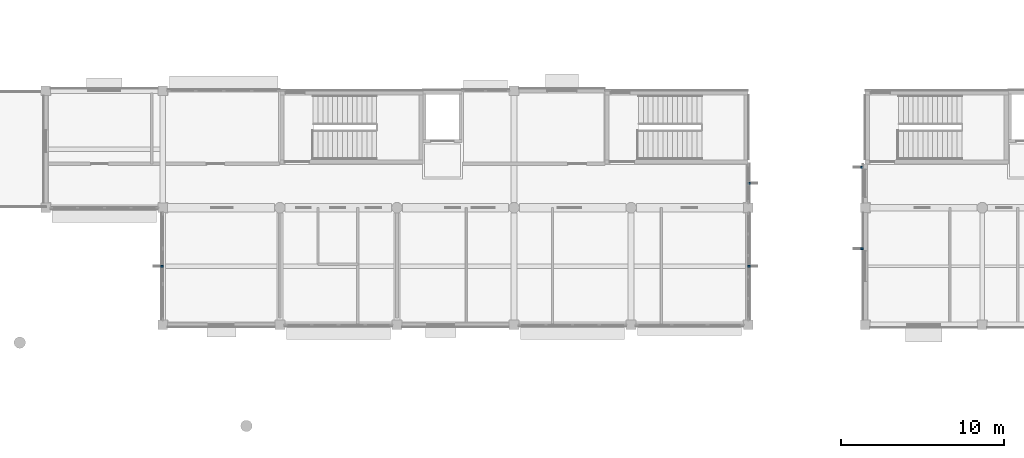
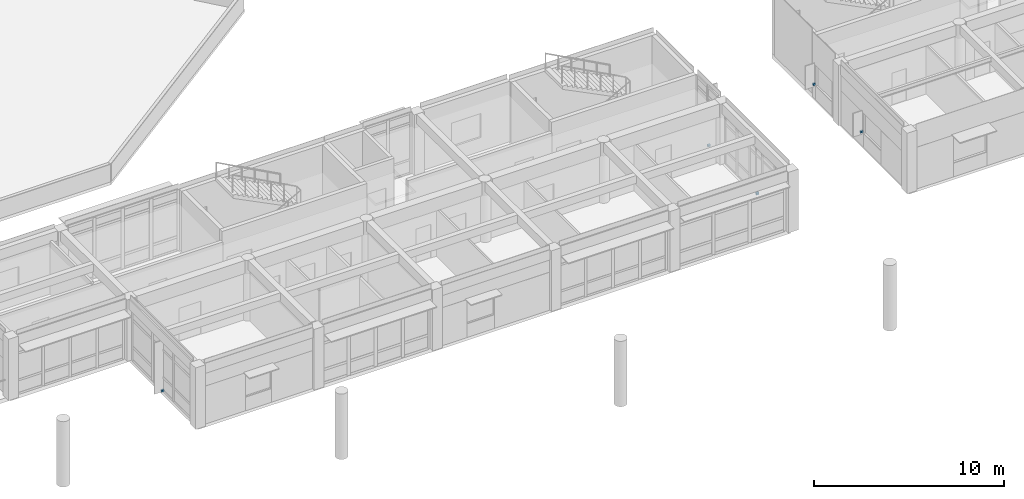
# One storey, part 32 of 55: 5 discrete accessories.
"""IFC4 building model written with IfcOpenShell, lengths in metres."""

import ifcopenshell
import ifcopenshell.guid

model = None  # the IFC model being written
_history = None  # IfcOwnerHistory: only IFC2X3 demands one
_inside = {}  # id of a spatial element -> (the spatial element, [elements in it])
_under = {}  # id of a project, library or spatial element -> (it, [spatial elements below it])
_declared = {}  # id of a project -> (the project, [libraries it declares])
_typed = {}  # id of a type object -> (the type object, [elements of that type])
_made_of = {}  # id of a material, layer set ... -> (it, [elements and type objects made of it])


def new_model(schema):
    """Start an empty IFC model of exactly this schema.

    Asked for "IFC4X3", IfcOpenShell would pick the latest addendum, in which some entities
    have other attributes; the version numbers below select the first issue.
    IFC2X3 requires an IfcOwnerHistory on every rooted entity: one is made here for all.
    """
    global model, _history
    if schema == "IFC4X3":
        model = ifcopenshell.file(schema_version=(4, 3, 0, 0))
    else:
        model = ifcopenshell.file(schema=schema)
    _inside.clear()
    _under.clear()
    _declared.clear()
    _typed.clear()
    _made_of.clear()
    _history = None
    if model.schema == "IFC2X3":
        org = make("IfcOrganization", Name="unknown")
        user = make(
            "IfcPersonAndOrganization",
            ThePerson=make("IfcPerson", FamilyName="unknown"),
            TheOrganization=org,
        )
        app = make(
            "IfcApplication",
            ApplicationDeveloper=org,
            Version="unknown",
            ApplicationFullName="unknown",
            ApplicationIdentifier="unknown",
        )
        _history = make(
            "IfcOwnerHistory",
            OwningUser=user,
            OwningApplication=app,
            ChangeAction="ADDED",
            CreationDate=0,
        )
    return model


def make(cls, **values):
    """One entity of the class cls with the attributes given. An attribute that is None is left unset."""
    return model.create_entity(
        cls, **{name: value for name, value in values.items() if value is not None}
    )


def rooted(cls, **values):
    """An entity with a GlobalId (a new one), such as an element, a storey or a relation."""
    return make(cls, GlobalId=ifcopenshell.guid.new(), OwnerHistory=_history, **values)


def si_unit(unit_type, name, prefix=None):
    """IfcSIUnit, for example si_unit("LENGTHUNIT", "METRE", prefix="MILLI")."""
    return make("IfcSIUnit", UnitType=unit_type, Prefix=prefix, Name=name)


def assignment(units):
    """IfcUnitAssignment: the units of a project."""
    return None if units is None else make("IfcUnitAssignment", Units=units)


def point(xyz):
    """IfcCartesianPoint."""
    return None if xyz is None else make("IfcCartesianPoint", Coordinates=xyz)


def direction(xyz):
    """IfcDirection."""
    return None if xyz is None else make("IfcDirection", DirectionRatios=xyz)


def frame(location, z_axis=None, x_axis=None):
    """IfcAxis2Placement3D, a coordinate frame: its origin and axes. An axis left out is left unset."""
    return make(
        "IfcAxis2Placement3D",
        Location=point(location),
        Axis=direction(z_axis),
        RefDirection=direction(x_axis),
    )


def frame_2d(location, x_axis=None):
    """IfcAxis2Placement2D, a coordinate frame in the plane: its origin and x axis."""
    return make(
        "IfcAxis2Placement2D", Location=point(location), RefDirection=direction(x_axis)
    )


def origin():
    """The frame at (0, 0, 0) with its axes left unset."""
    return frame((0.0, 0.0, 0.0))


def origin_2d():
    """The frame at (0, 0) in the plane with its x axis left unset."""
    return frame_2d((0.0, 0.0))


def place(relative_to, where):
    """IfcLocalPlacement: puts the frame where relative to a parent placement (None: the world)."""
    return make(
        "IfcLocalPlacement", PlacementRelTo=relative_to, RelativePlacement=where
    )


def context(
    kind, dimensions, precision=None, world=None, true_north=None, identifier=None
):
    """IfcGeometricRepresentationContext, for example the 3D "Model" context."""
    return make(
        "IfcGeometricRepresentationContext",
        ContextIdentifier=identifier,
        ContextType=kind,
        CoordinateSpaceDimension=dimensions,
        Precision=precision,
        WorldCoordinateSystem=world,
        TrueNorth=true_north,
    )


def subcontext(parent, identifier, kind, view, scale=None):
    """IfcGeometricRepresentationSubContext, for example "Body" below "Model"."""
    return make(
        "IfcGeometricRepresentationSubContext",
        ContextIdentifier=identifier,
        ContextType=kind,
        ParentContext=parent,
        TargetScale=scale,
        TargetView=view,
    )


def project(units=None, contexts=None):
    """IfcProject with its units and contexts."""
    return rooted(
        "IfcProject",
        Name="project",
        RepresentationContexts=contexts,
        UnitsInContext=assignment(units),
    )


def spatial(cls, under=None, at=None, **own):
    """A site, building, storey or space (cls), placed at a placement, below another one or the project."""
    s = rooted(cls, ObjectPlacement=at, **own)
    if under is not None:
        _under.setdefault(under.id(), (under, []))[1].append(s)
    return s


def profile(cls, at=None, kind="AREA", **sizes):
    """A parametric profile (cls). Its sizes go by their IFC names, for example OverallWidth=200.0."""
    return make(cls, ProfileType=kind, Position=at, **sizes)


def rectangle(**sizes):
    """IfcRectangleProfileDef."""
    return profile("IfcRectangleProfileDef", **sizes)


def extrude(swept, where, along, depth):
    """IfcExtrudedAreaSolid: the profile swept, set in the frame where, extruded along a direction by depth."""
    return make(
        "IfcExtrudedAreaSolid",
        SweptArea=swept,
        Position=where,
        ExtrudedDirection=direction(along),
        Depth=depth,
    )


def shape(context_of_items, identifier, shape_type, items):
    """IfcShapeRepresentation: the items that make up one representation, for example the "Body"."""
    return make(
        "IfcShapeRepresentation",
        ContextOfItems=context_of_items,
        RepresentationIdentifier=identifier,
        RepresentationType=shape_type,
        Items=items,
    )


def material(Name=None, Category=None):
    """IfcMaterial."""
    return make("IfcMaterial", Name=Name, Category=Category)


def made_of(thing, what):
    """Note that an element or type object is made of a material, layer set ...; save() writes the relation."""
    if what is not None:
        _made_of.setdefault(what.id(), (what, []))[1].append(thing)
    return thing


def type_object(cls, material=None, **own):
    """A type object (cls), such as IfcWallType, which elements share."""
    return made_of(rooted(cls, **own), material)


def element(
    cls,
    number,
    at=None,
    inside=None,
    cuts=None,
    type_object=None,
    material=None,
    context=None,
    identifier="Body",
    shape_type=None,
    held_by="IfcProductDefinitionShape",
    body=None,
    shapes=None,
    **own,
):
    """One element of the class cls, such as IfcWall. Its Tag is "e" and its number.

    at: its placement. inside: the storey or other place that contains it. cuts: it is an
    opening in that element (IfcRelVoidsElement). A single representation is given by context,
    identifier, shape_type and body (its items); several are given by shapes. held_by: the class
    of the entity that holds the representations. save() writes the other relations.
    """
    e = rooted(cls, Tag="e%d" % number, ObjectPlacement=at, **own)
    if body is not None:
        shapes = [shape(context, identifier, shape_type, body)]
    if shapes is not None:
        e.Representation = make(held_by, Representations=shapes)
    if inside is not None:
        _inside.setdefault(inside.id(), (inside, []))[1].append(e)
    if cuts is not None:
        rooted(
            "IfcRelVoidsElement", RelatingBuildingElement=cuts, RelatedOpeningElement=e
        )
    if type_object is not None:
        _typed.setdefault(type_object.id(), (type_object, []))[1].append(e)
    return made_of(e, material)


def aggregate(whole, parts):
    """IfcRelAggregates: a whole, such as a stair, and the parts it consists of."""
    return rooted("IfcRelAggregates", RelatingObject=whole, RelatedObjects=parts)


def save(model, path):
    """Write the relations noted so far, then the file.

    IfcRelAggregates (storeys below a building ...), IfcRelContainedInSpatialStructure (elements
    in a storey), IfcRelDefinesByType, IfcRelAssociatesMaterial and IfcRelDeclares: one each for
    every whole, place, type object, material and project.
    """
    for whole, parts in _under.values():
        aggregate(whole, parts)
    for where, things in _inside.values():
        rooted(
            "IfcRelContainedInSpatialStructure",
            RelatedElements=things,
            RelatingStructure=where,
        )
    for kind, things in _typed.values():
        rooted("IfcRelDefinesByType", RelatedObjects=things, RelatingType=kind)
    for what, things in _made_of.values():
        rooted("IfcRelAssociatesMaterial", RelatedObjects=things, RelatingMaterial=what)
    for by, libraries in _declared.values():
        rooted("IfcRelDeclares", RelatingContext=by, RelatedDefinitions=libraries)
    model.write(path)


model = new_model("IFC4")

# Units and contexts
model_context = context("Model", 3, precision=1e-05, world=origin(), true_north=direction((0.0, 1.0)))
body_context = subcontext(model_context, "Body", "Model", "MODEL_VIEW")
ifc_project = project(units=[si_unit("LENGTHUNIT", "METRE"), si_unit("AREAUNIT", "SQUARE_METRE"), si_unit("VOLUMEUNIT", "CUBIC_METRE"), si_unit("PLANEANGLEUNIT", "RADIAN"), si_unit("MASSUNIT", "GRAM", prefix="KILO")], contexts=[model_context])

# Site, building, storey
site_placement = place(None, origin())
site = spatial("IfcSite", under=ifc_project, at=site_placement, CompositionType="ELEMENT")
building_placement = place(site_placement, origin())
building = spatial("IfcBuilding", under=site, at=building_placement, Name="Namkhue Oval Health Centre", CompositionType="ELEMENT")
storey_placement = place(building_placement, frame((0.0, 0.0, 9.60009765625)))
storey = spatial("IfcBuildingStorey", under=building, at=storey_placement, Name="L02", CompositionType="ELEMENT", Elevation=9.60009765625)

# Discrete accessories
ifc_material = material(Name="Structural steel S355JR (TCVN CCT38)", Category="steel")
discrete_accessory_type = type_object("IfcDiscreteAccessoryType", Name="FACADE SHADING BRACKET", PredefinedType="BRACKET", material=ifc_material)
for number, where, z_axis, x_axis, name in (
    (1, (86.4599609375, 18.0, -0.000244140625), (0.0, 0.0, 1.0), (1.0, 0.0, 0.0), "Solar Fin Bracket 220"),
    (2, (86.4599609375, 23.096923828125, -0.000244140625), (0.0, 0.0, 1.0), (1.0, 0.0, 0.0), "Solar Fin Bracket 221"),
    (3, (50.340087890625, 18.0, -0.000244140625), (0.0, 0.0, 1.0), (-1.0, 0.0, 0.0), "Solar Fin Bracket 227"),
    (4, (93.409912109375, 24.0869140625, 0.89990234375), (0.0, 0.0, 1.0), (-1.0, 0.0, 0.0), "Window Fin Bracket 275"),
    (5, (93.405029296875, 19.06494140625, 0.89990234375), (0.0, 0.0, 1.0), (-1.0, 0.0, 0.0), "Window Fin Bracket 276"),
):
    element("IfcDiscreteAccessory", number, at=place(storey_placement, frame(where, z_axis=z_axis, x_axis=x_axis)), inside=storey, type_object=discrete_accessory_type, Name=name, PredefinedType="BRACKET", context=body_context, shape_type="SweptSolid", body=[
        extrude(rectangle(XDim=0.159912109375, YDim=0.1201171875, at=origin_2d()), origin(), (0.0, 0.0, 1.0), 0.1201171875),
    ])

save(model, "model.ifc")
